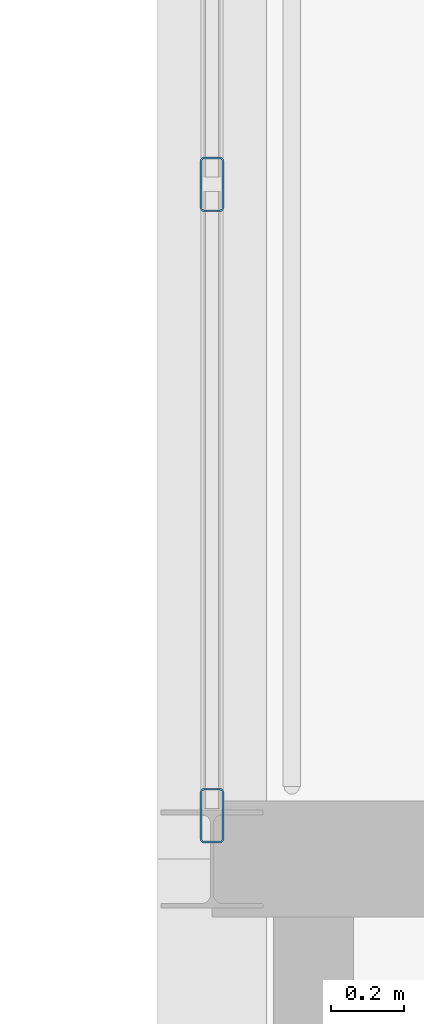
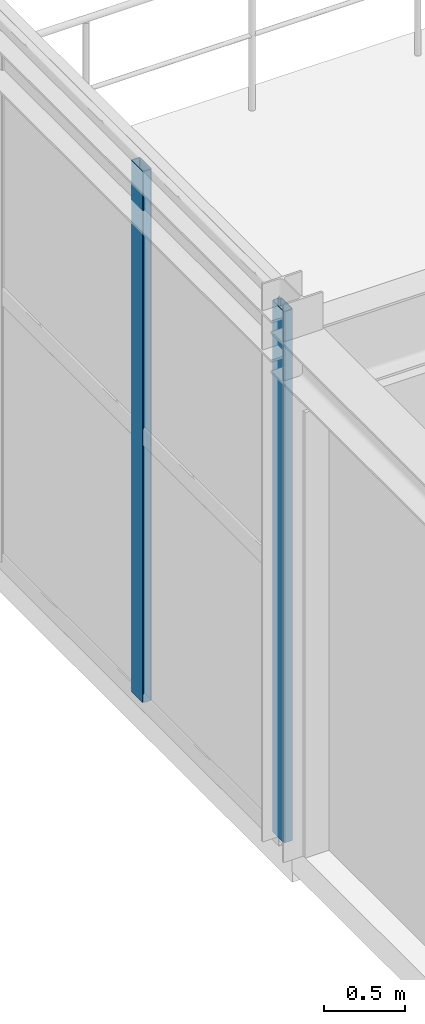
# One storey, part 46 of 73: 2 members, 1 element without a shape of its own.
"""IFC4 building model written with IfcOpenShell, lengths in metres."""

from ifc_helpers import new_model, si_unit, derived_unit, direction, frame, origin, origin_2d, place, context, subcontext, project, spatial, hollow_rectangle, extrude, material, material_profile, profile_set, type_object, element, aggregate, save


model = new_model("IFC4")

# Units and contexts
model_context = context("Model", 3, precision=1e-05, world=origin(), true_north=direction((0.0, 1.0)))
body_context = subcontext(model_context, "Body", "Model", "MODEL_VIEW")
ifc_project = project(units=[si_unit("LENGTHUNIT", "METRE"), si_unit("AREAUNIT", "SQUARE_METRE"), si_unit("VOLUMEUNIT", "CUBIC_METRE"), si_unit("PLANEANGLEUNIT", "RADIAN"), si_unit("MASSUNIT", "GRAM", prefix="KILO"), derived_unit("THERMALTRANSMITTANCEUNIT", [(si_unit("MASSUNIT", "GRAM", prefix="KILO"), 1), (si_unit("TIMEUNIT", "SECOND"), -3), (si_unit("THERMODYNAMICTEMPERATUREUNIT", "KELVIN"), -1)])], contexts=[model_context])

# Site, building, storey
site_placement = place(None, origin())
site = spatial("IfcSite", under=ifc_project, at=site_placement, CompositionType="ELEMENT")
building_placement = place(site_placement, origin())
building = spatial("IfcBuilding", under=site, at=building_placement, Name="Kharveza Railside Sports Centre", CompositionType="ELEMENT")
storey_placement = place(building_placement, frame((0.0, 0.0, 8.699951171875)))
storey = spatial("IfcBuildingStorey", under=building, at=storey_placement, Name="L02", CompositionType="ELEMENT", Elevation=8.699951171875)

# Curtain wall, members
ifc_material_1 = material(Name="Low-E solar-control laminated glass", Category="glass")
curtain_wall_type = type_object("IfcCurtainWallType", Name="CW-WG02", PredefinedType="NOTDEFINED", material=ifc_material_1)
curtain_wall_placement = place(storey_placement, origin())
curtain_wall = element("IfcCurtainWall", 1, at=curtain_wall_placement, inside=storey, type_object=curtain_wall_type, Name="CW-WG-L02-CW-WG02-X1428-Y972", PredefinedType="NOTDEFINED")
ifc_material_2 = material(Name="Anodised aluminium 6063-T6", Category="aluminium")
ifc_material_profile = material_profile(ifc_material_2, hollow_rectangle(XDim=0.06494140625, YDim=0.14990234375, WallThickness=0.0048828125, InnerFilletRadius=0.0048828125, OuterFilletRadius=0.010009765625, at=origin_2d()), Name="RHS 65x150x5.0")
ifc_profile_set = profile_set([ifc_material_profile], Name="Anodised aluminium 6063-T6")
member_type = type_object("IfcMemberType", Name="CW-ML04", PredefinedType="MULLION", material=ifc_profile_set)
member_1_placement = place(storey_placement, frame((142.800048828125, 93.719970703125, 0.0), z_axis=(0.0, 0.0, 1.0), x_axis=(1.0, 0.0, 0.0)))
member_1 = element("IfcMember", 2, at=member_1_placement, type_object=member_type, Name="CW-WG-L02-CW-WG02-X1428-Y972-ML1", PredefinedType="MULLION", context=body_context, shape_type="SweptSolid", body=[
    extrude(hollow_rectangle(XDim=0.06494140625, YDim=0.14990234375, WallThickness=0.0048828125, InnerFilletRadius=0.0048828125, OuterFilletRadius=0.010009765625, at=origin_2d()), origin(), (0.0, 0.0, 1.0), 4.0),
])
member_2_placement = place(storey_placement, frame((142.800048828125, 95.4599609375, 0.0), z_axis=(0.0, 0.0, 1.0), x_axis=(1.0, 0.0, 0.0)))
member_2 = element("IfcMember", 3, at=member_2_placement, type_object=member_type, Name="CW-WG-L02-CW-WG02-X1428-Y972-ML2", PredefinedType="MULLION", context=body_context, shape_type="SweptSolid", body=[
    extrude(hollow_rectangle(XDim=0.06494140625, YDim=0.14990234375, WallThickness=0.0048828125, InnerFilletRadius=0.0048828125, OuterFilletRadius=0.010009765625, at=origin_2d()), origin(), (0.0, 0.0, 1.0), 4.0),
])
aggregate(curtain_wall, [member_1, member_2])

save(model, "model.ifc")
